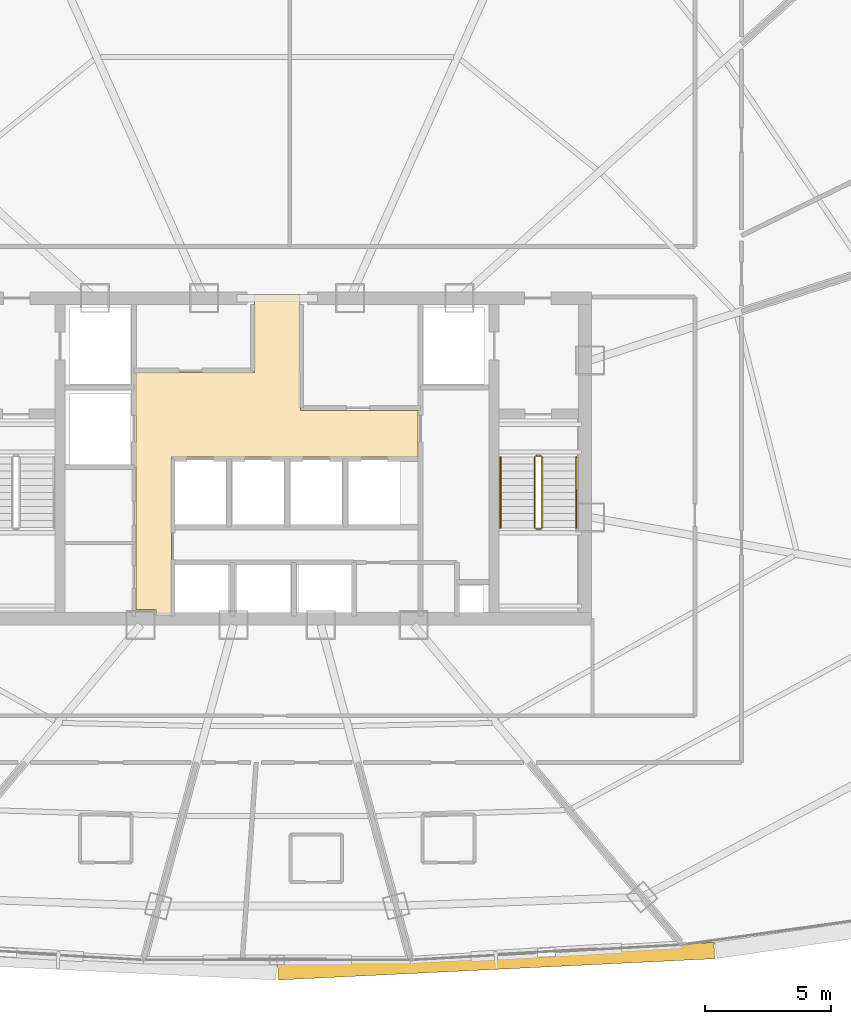
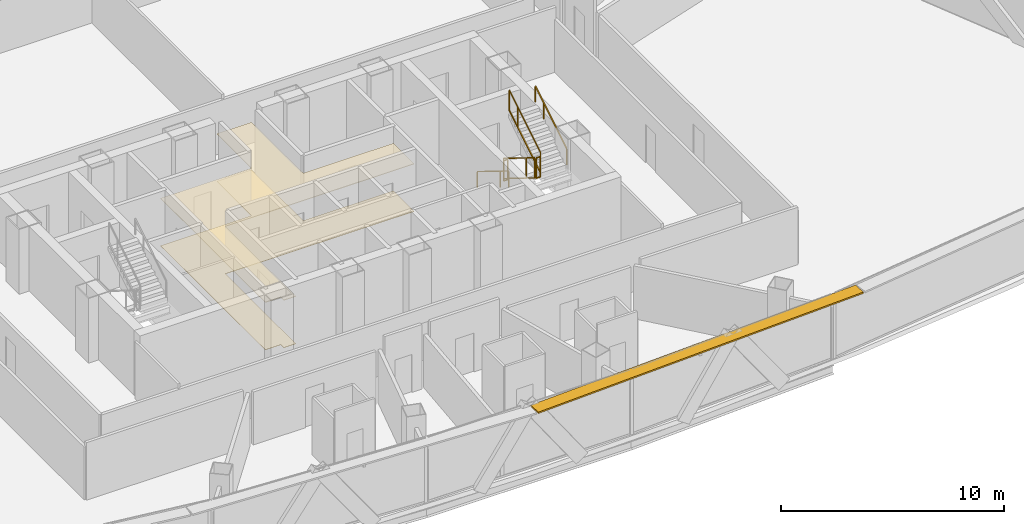
# One storey, part 38 of 40: 6 railings, 2 coverings, 1 shading device.
"""IFC4 building model written with IfcOpenShell, lengths in metres."""

from ifc_helpers import new_model, si_unit, direction, frame, origin, origin_2d, place, context, subcontext, project, spatial, polyline, rectangle, outline, extrude, source, transform, mapped, material, layer, layer_set, type_object, element, save


model = new_model("IFC4")

# Units and contexts
model_context = context("Model", 3, precision=1e-05, world=origin(), true_north=direction((0.0, 1.0)))
body_context = subcontext(model_context, "Body", "Model", "MODEL_VIEW")
ifc_project = project(units=[si_unit("LENGTHUNIT", "METRE"), si_unit("AREAUNIT", "SQUARE_METRE"), si_unit("VOLUMEUNIT", "CUBIC_METRE"), si_unit("PLANEANGLEUNIT", "RADIAN"), si_unit("MASSUNIT", "GRAM", prefix="KILO"), si_unit("THERMODYNAMICTEMPERATUREUNIT", "KELVIN"), si_unit("POWERUNIT", "WATT")], contexts=[model_context])

# Site, building, storey
site_placement = place(None, origin())
site = spatial("IfcSite", under=ifc_project, at=site_placement, CompositionType="ELEMENT")
building_placement = place(site_placement, origin())
building = spatial("IfcBuilding", under=site, at=building_placement, Name="Yunzhuo Pagoda Commons", CompositionType="ELEMENT")
storey_placement = place(building_placement, frame((0.0, 0.0, 180.9599609375)))
storey = spatial("IfcBuildingStorey", under=building, at=storey_placement, Name="L45", CompositionType="ELEMENT", Elevation=180.9599609375)

# Coverings
ifc_material_1 = material(Name="Perforated gypsum acoustic ceiling tile")
ifc_layer_1 = layer(ifc_material_1, 0.030029296875)
ifc_layer_set_1 = layer_set([ifc_layer_1], Name="Perforated gypsum acoustic ceiling tile")
covering_type_1 = type_object("IfcCoveringType", Name="COV-CL2 Ceiling 30", PredefinedType="CEILING", material=ifc_layer_set_1)
covering_1_placement = place(storey_placement, frame((0.0, 0.0, 2.590087890625)))
element("IfcCovering", 1, at=covering_1_placement, inside=storey, type_object=covering_type_1, Name="L45 lift lobby acoustic ceiling", PredefinedType="CEILING", context=body_context, shape_type="SweptSolid", body=[
    extrude(outline(polyline([(42.39990234375, 37.25), (47.10009765625, 37.25), (47.10009765625, 40.35009765625), (48.89990234375, 40.35009765625), (48.89990234375, 37.25), (48.919921875, 37.25), (48.919921875, 35.75), (53.580078125, 35.75), (53.580078125, 33.89990234375), (43.820068359375, 33.89990234375), (43.820068359375, 27.60009765625), (43.207763671875, 27.60009765625), (43.207763671875, 27.85009765625), (43.201904296875, 27.864013671875), (43.187744140625, 27.8701171875), (42.39990234375, 27.8701171875), (42.39990234375, 33.89990234375), (42.39990234375, 37.25)])), origin(), (0.0, 0.0, 1.0), 0.030029296875),
])
ifc_material_2 = material(Name="Porcelain ceramic floor tile")
ifc_layer_2 = layer(ifc_material_2, 0.02001953125)
ifc_layer_set_2 = layer_set([ifc_layer_2], Name="Porcelain ceramic floor tile")
covering_type_2 = type_object("IfcCoveringType", Name="COV-FL1 Flooring 20", PredefinedType="FLOORING", material=ifc_layer_set_2)
covering_2_placement = place(storey_placement, origin())
element("IfcCovering", 2, at=covering_2_placement, inside=storey, type_object=covering_type_2, Name="L45 lift lobby flooring", PredefinedType="FLOORING", context=body_context, shape_type="SweptSolid", body=[
    extrude(outline(polyline([(42.39990234375, 37.25), (47.10009765625, 37.25), (47.10009765625, 40.35009765625), (48.89990234375, 40.35009765625), (48.89990234375, 37.25), (48.919921875, 37.25), (48.919921875, 35.75), (53.580078125, 35.75), (53.580078125, 33.89990234375), (43.820068359375, 33.89990234375), (43.820068359375, 27.60009765625), (43.207763671875, 27.60009765625), (43.207763671875, 27.85009765625), (43.201904296875, 27.864013671875), (43.187744140625, 27.8701171875), (42.39990234375, 27.8701171875), (42.39990234375, 33.89990234375), (42.39990234375, 37.25)])), origin(), (0.0, 0.0, 1.0), 0.02001953125),
])

# Railings
ifc_material_3 = material(Name="Anodized aluminium 6063-T6", Category="aluminium")
railing_type_1 = type_object("IfcRailingType", Name="GR-ST2 Stair Well Guardrail 1160", PredefinedType="GUARDRAIL", material=ifc_material_3)
railing_1_placement = place(storey_placement, frame((58.199951171875, 33.89990234375, 0.1728515625)))
element("IfcRailing", 3, at=railing_1_placement, inside=storey, type_object=railing_type_1, Name="L45 ST2 stair guard 1", PredefinedType="GUARDRAIL", context=body_context, shape_type="SweptSolid", body=[
    extrude(rectangle(XDim=0.048095703125, YDim=0.048095703125, at=origin_2d()), frame((0.0, 0.0, 1.1259765625), z_axis=(0.0, -0.851069175582, 0.525053576669), x_axis=(1.0, 0.0, 0.0)), (0.0, 0.0, 1.0), 3.289794921875),
    extrude(rectangle(XDim=0.048095703125, YDim=0.048095703125, at=origin_2d()), frame((0.0, 0.0, 0.02392578125), z_axis=(0.0, -0.851069175582, 0.525053576669), x_axis=(1.0, 0.0, 0.0)), (0.0, 0.0, 1.0), 3.289794921875),
    extrude(rectangle(XDim=0.0419921875, YDim=0.0419921875, at=origin_2d()), origin(), (0.0, 0.0, 1.0), 1.101806640625),
    extrude(rectangle(XDim=0.0419921875, YDim=0.0419921875, at=origin_2d()), frame((0.0, -2.04248046875, 1.260009765625)), (0.0, 0.0, 1.0), 1.101806640625),
    extrude(rectangle(XDim=0.0419921875, YDim=0.0419921875, at=origin_2d()), frame((0.0, -2.7998046875, 1.727294921875)), (0.0, 0.0, 1.0), 1.101806640625),
])
railing_2_placement = place(storey_placement, frame((58.25, 31.050048828125, 1.900146484375)))
element("IfcRailing", 4, at=railing_2_placement, inside=storey, type_object=railing_type_1, Name="L45 ST2 stair guard 2", PredefinedType="GUARDRAIL", context=body_context, shape_type="SweptSolid", body=[
    extrude(rectangle(XDim=0.048095703125, YDim=0.048095703125, at=origin_2d()), frame((0.0, 0.0, 1.1259765625), z_axis=(1.0, 0.0, 0.0), x_axis=(0.0, 1.0, 0.0)), (0.0, 0.0, 1.0), 0.199951171875),
    extrude(rectangle(XDim=0.048095703125, YDim=0.048095703125, at=origin_2d()), frame((0.0, 0.0, 0.02392578125), z_axis=(1.0, 0.0, 0.0), x_axis=(0.0, 1.0, 0.0)), (0.0, 0.0, 1.0), 0.199951171875),
    extrude(rectangle(XDim=0.0419921875, YDim=0.0419921875, at=origin_2d()), origin(), (0.0, 0.0, 1.0), 1.101806640625),
    extrude(rectangle(XDim=0.0419921875, YDim=0.0419921875, at=origin_2d()), frame((0.199951171875, 0.0, 0.0)), (0.0, 0.0, 1.0), 1.101806640625),
])
railing_3_placement = place(storey_placement, frame((58.5, 31.10009765625, 2.07275390625)))
element("IfcRailing", 5, at=railing_3_placement, inside=storey, type_object=railing_type_1, Name="L45 ST2 stair guard 3", PredefinedType="GUARDRAIL", context=body_context, shape_type="SweptSolid", body=[
    extrude(rectangle(XDim=0.048095703125, YDim=0.048095703125, at=origin_2d()), frame((0.0, 0.0, 1.1259765625), z_axis=(0.0, 0.851069175582, 0.525053576669), x_axis=(-1.0, 0.0, 0.0)), (0.0, 0.0, 1.0), 3.289794921875),
    extrude(rectangle(XDim=0.048095703125, YDim=0.048095703125, at=origin_2d()), frame((0.0, 0.0, 0.02392578125), z_axis=(0.0, 0.851069175582, 0.525053576669), x_axis=(-1.0, 0.0, 0.0)), (0.0, 0.0, 1.0), 3.289794921875),
    extrude(rectangle(XDim=0.0419921875, YDim=0.0419921875, at=origin_2d()), origin(), (0.0, 0.0, 1.0), 1.101806640625),
    extrude(rectangle(XDim=0.0419921875, YDim=0.0419921875, at=origin_2d()), frame((0.0, 2.04248046875, 1.260009765625)), (0.0, 0.0, 1.0), 1.101806640625),
    extrude(rectangle(XDim=0.0419921875, YDim=0.0419921875, at=origin_2d()), frame((0.0, 2.7998046875, 1.727294921875)), (0.0, 0.0, 1.0), 1.101806640625),
])
railing_4_placement = place(storey_placement, frame((58.25, 33.949951171875, 0.0)))
element("IfcRailing", 6, at=railing_4_placement, inside=storey, type_object=railing_type_1, Name="L45 ST2 stair guard 4", PredefinedType="GUARDRAIL", context=body_context, shape_type="SweptSolid", body=[
    extrude(rectangle(XDim=0.048095703125, YDim=0.048095703125, at=origin_2d()), frame((0.0, 0.0, 1.1259765625), z_axis=(1.0, 0.0, 0.0), x_axis=(0.0, 1.0, 0.0)), (0.0, 0.0, 1.0), 0.199951171875),
    extrude(rectangle(XDim=0.048095703125, YDim=0.048095703125, at=origin_2d()), frame((0.0, 0.0, 0.02392578125), z_axis=(1.0, 0.0, 0.0), x_axis=(0.0, 1.0, 0.0)), (0.0, 0.0, 1.0), 0.199951171875),
    extrude(rectangle(XDim=0.0419921875, YDim=0.0419921875, at=origin_2d()), origin(), (0.0, 0.0, 1.0), 1.101806640625),
    extrude(rectangle(XDim=0.0419921875, YDim=0.0419921875, at=origin_2d()), frame((0.199951171875, 0.0, 0.0)), (0.0, 0.0, 1.0), 1.101806640625),
])
railing_type_2 = type_object("IfcRailingType", Name="HR-ST2 Stair Handrail 900", PredefinedType="HANDRAIL", material=ifc_material_3)
railing_5_placement = place(storey_placement, frame((56.85009765625, 33.89990234375, 0.1728515625)))
element("IfcRailing", 7, at=railing_5_placement, inside=storey, type_object=railing_type_2, Name="L45 ST2 stair handrail 1", PredefinedType="HANDRAIL", context=body_context, shape_type="SweptSolid", body=[
    extrude(rectangle(XDim=0.048095703125, YDim=0.048095703125, at=origin_2d()), frame((0.0, 0.0, 0.8759765625), z_axis=(0.0, -0.851069175582, 0.525053576669), x_axis=(1.0, 0.0, 0.0)), (0.0, 0.0, 1.0), 3.289794921875),
    extrude(rectangle(XDim=0.0419921875, YDim=0.0419921875, at=origin_2d()), origin(), (0.0, 0.0, 1.0), 0.851806640625),
    extrude(rectangle(XDim=0.0419921875, YDim=0.0419921875, at=origin_2d()), frame((0.0, -2.04248046875, 1.260009765625)), (0.0, 0.0, 1.0), 0.851806640625),
    extrude(rectangle(XDim=0.0419921875, YDim=0.0419921875, at=origin_2d()), frame((0.0, -2.7998046875, 1.727294921875)), (0.0, 0.0, 1.0), 0.851806640625),
])
railing_6_placement = place(storey_placement, frame((59.85009765625, 31.10009765625, 2.07275390625)))
element("IfcRailing", 8, at=railing_6_placement, inside=storey, type_object=railing_type_2, Name="L45 ST2 stair handrail 2", PredefinedType="HANDRAIL", context=body_context, shape_type="SweptSolid", body=[
    extrude(rectangle(XDim=0.048095703125, YDim=0.048095703125, at=origin_2d()), frame((0.0, 0.0, 0.8759765625), z_axis=(0.0, 0.851069175582, 0.525053576669), x_axis=(-1.0, 0.0, 0.0)), (0.0, 0.0, 1.0), 3.289794921875),
    extrude(rectangle(XDim=0.0419921875, YDim=0.0419921875, at=origin_2d()), origin(), (0.0, 0.0, 1.0), 0.851806640625),
    extrude(rectangle(XDim=0.0419921875, YDim=0.0419921875, at=origin_2d()), frame((0.0, 2.04248046875, 1.260009765625)), (0.0, 0.0, 1.0), 0.851806640625),
    extrude(rectangle(XDim=0.0419921875, YDim=0.0419921875, at=origin_2d()), frame((0.0, 2.7998046875, 1.727294921875)), (0.0, 0.0, 1.0), 0.851806640625),
])

# Shading device
ifc_layer_3 = layer(ifc_material_3, 0.080078125)
ifc_layer_set_3 = layer_set([ifc_layer_3], Name="Anodized aluminium 6063-T6")
shading_device_type = type_object("IfcShadingDeviceType", Name="SH-SUN1 Pagoda Horizontal Sunshade Eave 650", PredefinedType="USERDEFINED", material=ifc_layer_set_3)
shared_shape = source(origin(), body_context, "Body", "SweptSolid", [
    extrude(rectangle(XDim=17.3125, YDim=0.64990234375, at=origin_2d()), origin(), (0.0, 0.0, 1.0), 0.080078125),
])
shading_device_placement = place(storey_placement, frame((56.677734375, 13.926513671875, 3.4599609375), z_axis=(0.0, 0.0, 1.0), x_axis=(0.998818043775, 0.04860571396, 0.0)))
element("IfcShadingDevice", 9, at=shading_device_placement, inside=storey, type_object=shading_device_type, Name="L45 horizontal pagoda sunshade eave F1.3", ObjectType="SUNSHADE", PredefinedType="USERDEFINED", context=body_context, shape_type="MappedRepresentation", body=[
    mapped(shared_shape, transform((0.0, 0.0, 0.0), scale=1.0)),
])

save(model, "model.ifc")
